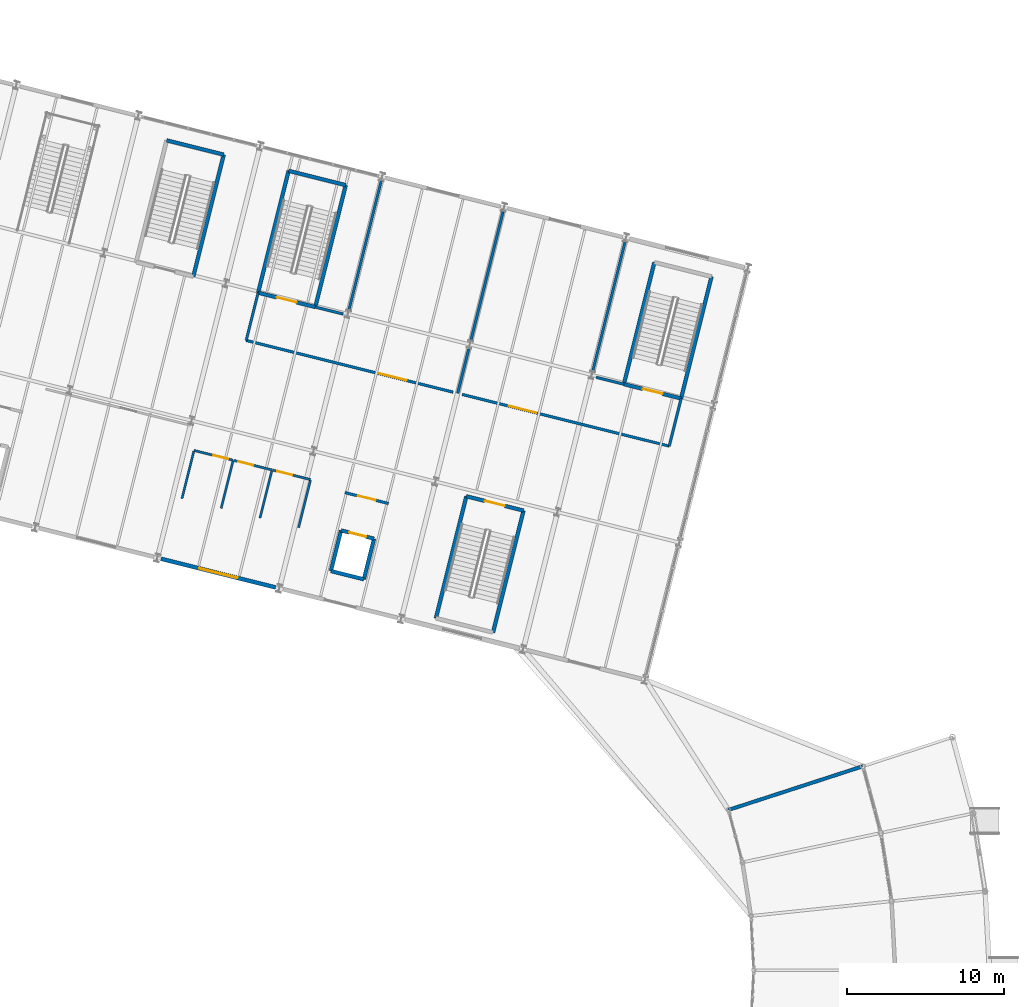
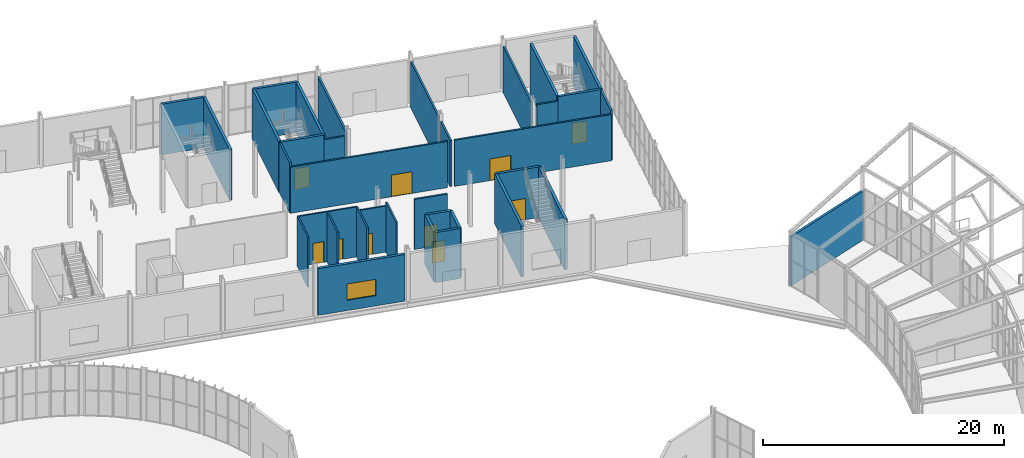
# One storey, part 129 of 158: 36 walls, 10 doors, 1 window, 11 openings.
"""IFC4 building model written with IfcOpenShell, lengths in metres."""

from ifc_helpers import new_model, si_unit, derived_unit, direction, frame, frame_2d, origin, place, context, subcontext, project, spatial, rectangle, extrude, material, layer, layer_set, type_object, element, fill, save


model = new_model("IFC4")

# Units and contexts
model_context = context("Model", 3, precision=1e-05, world=origin(), true_north=direction((0.0, 1.0)))
body_context = subcontext(model_context, "Body", "Model", "MODEL_VIEW")
ifc_project = project(units=[si_unit("LENGTHUNIT", "METRE"), si_unit("AREAUNIT", "SQUARE_METRE"), si_unit("VOLUMEUNIT", "CUBIC_METRE"), si_unit("PLANEANGLEUNIT", "RADIAN"), si_unit("MASSUNIT", "GRAM", prefix="KILO"), si_unit("THERMODYNAMICTEMPERATUREUNIT", "KELVIN"), si_unit("TIMEUNIT", "SECOND"), derived_unit("THERMALTRANSMITTANCEUNIT", [(si_unit("MASSUNIT", "GRAM", prefix="KILO"), 1), (si_unit("THERMODYNAMICTEMPERATUREUNIT", "KELVIN"), -1), (si_unit("TIMEUNIT", "SECOND"), -3)])], contexts=[model_context])

# Site, building, storey
site_placement = place(None, origin())
site = spatial("IfcSite", under=ifc_project, at=site_placement, CompositionType="ELEMENT")
building_placement = place(site_placement, origin())
building = spatial("IfcBuilding", under=site, at=building_placement, Name="Cambertide Market Hall", CompositionType="ELEMENT")
storey_placement = place(building_placement, origin())
storey = spatial("IfcBuildingStorey", under=building, at=storey_placement, Name="L01", CompositionType="ELEMENT", Elevation=0.0)

# Wall, opening, window
ifc_material_1 = material(Name="Autoclaved Aerated Concrete Blockwork M7.5", Category="masonry")
ifc_layer_1 = layer(ifc_material_1, 0.25, Name="Insulated AAC Exterior Infill Wall 250")
ifc_layer_set_1 = layer_set([ifc_layer_1], Name="Autoclaved Aerated Concrete Blockwork M7.5")
wall_type_1 = type_object("IfcWallType", Name="Insulated AAC Exterior Infill Wall 250", PredefinedType="SOLIDWALL", material=ifc_layer_set_1)
wall_1_placement = place(storey_placement, frame((146.57275390625, 90.356689453125, 0.0), z_axis=(0.0, 0.0, 1.0), x_axis=(-0.970138680536, 0.242550902961, 0.0)))
wall_1 = element("IfcWall", 1, at=wall_1_placement, inside=storey, type_object=wall_type_1, Name="Level 1 Exterior Wall EW-L01-V4S-5", PredefinedType="SOLIDWALL", context=body_context, shape_type="SweptSolid", body=[
    extrude(rectangle(XDim=7.52001953125, YDim=0.25, at=frame_2d((3.760009765625, 0.0))), origin(), (0.0, 0.0, 1.0), 4.735107421875),
])
opening_1_placement = place(wall_1_placement, frame((2.510009765625, 0.0, 1.050048828125)))
opening_1 = element("IfcOpeningElement", 2, at=opening_1_placement, cuts=wall_1, Name="Opening WN-09", PredefinedType="OPENING", context=body_context, shape_type="SweptSolid", body=[
    extrude(rectangle(XDim=2.5, YDim=1.64990234375, at=frame_2d((1.25, 0.824951171875))), frame((0.0, 0.135009765625, 0.0), z_axis=(0.0, -1.0, 0.0), x_axis=(1.0, 0.0, 0.0)), (0.0, 0.0, 1.0), 0.27001953125),
])
ifc_material_2 = material(Name="Low-E Laminated Insulated Glass", Category="glass")
window_type = type_object("IfcWindowType", Name="Market Admin Office Window 2500x1650", PartitioningType="SINGLE_PANEL", PredefinedType="WINDOW", material=ifc_material_2)
window_placement = place(opening_1_placement, origin())
window = element("IfcWindow", 3, at=window_placement, inside=storey, type_object=window_type, Name="Level 1 Window EW-L01-V4S-5-WN", OverallHeight=1.64990234375, OverallWidth=2.5, PartitioningType="SINGLE_PANEL", PredefinedType="WINDOW", context=body_context, shape_type="SweptSolid", body=[
    extrude(rectangle(XDim=2.5, YDim=1.64990234375, at=frame_2d((1.25, 0.824951171875))), frame((0.0, 0.030029296875, 0.0), z_axis=(0.0, -1.0, 0.0), x_axis=(1.0, 0.0, 0.0)), (0.0, 0.0, 1.0), 0.06005859375),
])
fill(opening_1, window)

# Wall, opening, door
ifc_material_3 = material(Name="Autoclaved Aerated Concrete Blockwork M7.5", Category="masonry")
ifc_layer_2 = layer(ifc_material_3, 0.169921875, Name="Lift Lobby Fire Partition 170")
ifc_layer_set_2 = layer_set([ifc_layer_2], Name="Autoclaved Aerated Concrete Blockwork M7.5")
wall_type_2 = type_object("IfcWallType", Name="Lift Lobby Fire Partition 170", PredefinedType="PARTITIONING", material=ifc_layer_set_2)
wall_2_placement = place(storey_placement, frame((150.979736328125, 96.398193359375, 0.0), z_axis=(0.0, 0.0, 1.0), x_axis=(0.970147521275, -0.242515539634, 0.0)))
wall_2 = element("IfcWall", 4, at=wall_2_placement, inside=storey, type_object=wall_type_2, Name="Level 1 Interior Wall LLW-LP-04-L01", PredefinedType="PARTITIONING", context=body_context, shape_type="SweptSolid", body=[
    extrude(rectangle(XDim=2.860107421875, YDim=0.169921875, at=frame_2d((1.43017578125, 0.0))), origin(), (0.0, 0.0, 1.0), 5.080078125),
])
opening_2_placement = place(wall_2_placement, frame((0.85498046875, 0.0, 0.0)))
opening_2 = element("IfcOpeningElement", 5, at=opening_2_placement, cuts=wall_2, Name="Opening KD-02", PredefinedType="OPENING", context=body_context, shape_type="SweptSolid", body=[
    extrude(rectangle(XDim=1.14990234375, YDim=2.14990234375, at=frame_2d((0.574951171875, 1.074951171875))), frame((0.0, 0.094970703125, 0.0), z_axis=(0.0, -1.0, 0.0), x_axis=(1.0, 0.0, 0.0)), (0.0, 0.0, 1.0), 0.18994140625),
])
ifc_material_4 = material(Name="Stainless Steel Grade 316", Category="metal")
door_type_1 = type_object("IfcDoorType", Name="Lift Lobby Smoke-Stop Door 1150x2150", OperationType="NOTDEFINED", PredefinedType="DOOR", material=ifc_material_4)
door_1_placement = place(opening_2_placement, origin())
door_1 = element("IfcDoor", 6, at=door_1_placement, inside=storey, type_object=door_type_1, Name="Level 1 Door LLW-LP-04-L01-DR1", OperationType="SINGLE_SWING_LEFT", OverallHeight=2.14990234375, OverallWidth=1.14990234375, PredefinedType="DOOR", context=body_context, shape_type="SweptSolid", body=[
    extrude(rectangle(XDim=1.14990234375, YDim=2.14990234375, at=frame_2d((0.574951171875, 1.074951171875))), frame((0.0, 0.02490234375, 0.0), z_axis=(0.0, -1.0, 0.0), x_axis=(1.0, 0.0, 0.0)), (0.0, 0.0, 1.0), 0.050048828125),
])
fill(opening_2, door_1)

# Walls
ifc_material_5 = material(Name="Autoclaved Aerated Concrete Blockwork M7.5", Category="masonry")
ifc_layer_3 = layer(ifc_material_5, 0.22509765625, Name="Promenade Pavilion Masonry Wall 225")
ifc_layer_set_3 = layer_set([ifc_layer_3], Name="Autoclaved Aerated Concrete Blockwork M7.5")
wall_type_3 = type_object("IfcWallType", Name="Promenade Pavilion Masonry Wall 225", PredefinedType="SOLIDWALL", material=ifc_layer_set_3)
wall_3_placement = place(storey_placement, frame((175.384765625, 76.197509765625, 0.0), z_axis=(0.0, 0.0, 1.0), x_axis=(0.951054001411, 0.309024734286, 0.0)))
element("IfcWall", 7, at=wall_3_placement, inside=storey, type_object=wall_type_3, Name="Level 1 Exterior Wall EW-L01-V5END-N", PredefinedType="SOLIDWALL", context=body_context, shape_type="SweptSolid", body=[
    extrude(rectangle(XDim=9.0, YDim=0.22509765625, at=frame_2d((4.5, 0.0))), origin(), (0.0, 0.0, 1.0), 4.97998046875),
])
ifc_material_6 = material(Name="Autoclaved Aerated Concrete Blockwork M7.5", Category="masonry")
ifc_layer_4 = layer(ifc_material_6, 0.1650390625, Name="Protected Exit Passageway Fire Wall 165")
ifc_layer_set_4 = layer_set([ifc_layer_4], Name="Autoclaved Aerated Concrete Blockwork M7.5")
wall_type_4 = type_object("IfcWallType", Name="Protected Exit Passageway Fire Wall 165", PredefinedType="PARTITIONING", material=ifc_layer_set_4)
wall_4_placement = place(storey_placement, frame((144.695556640625, 106.08154296875, 0.0), z_axis=(0.0, 0.0, 1.0), x_axis=(0.242572388699, 0.97013330849, 0.0)))
element("IfcWall", 8, at=wall_4_placement, inside=storey, type_object=wall_type_4, Name="Level 1 Interior Wall EXW-ST09-W", PredefinedType="PARTITIONING", context=body_context, shape_type="SweptSolid", body=[
    extrude(rectangle(XDim=3.125, YDim=0.1650390625, at=frame_2d((1.5625, 0.0))), origin(), (0.0, 0.0, 1.0), 5.080078125),
])

# Wall, opening, door
wall_5_placement = place(storey_placement, frame((144.695556640625, 106.08154296875, 0.0), z_axis=(0.0, 0.0, 1.0), x_axis=(0.97014144222, -0.242539856697, 0.0)))
wall_5 = element("IfcWall", 9, at=wall_5_placement, inside=storey, type_object=wall_type_4, Name="Level 1 Interior Wall EXW-ST09-S", PredefinedType="PARTITIONING", context=body_context, shape_type="SweptSolid", body=[
    extrude(rectangle(XDim=13.574951171875, YDim=0.1650390625, at=frame_2d((6.78759765625, 0.0))), origin(), (0.0, 0.0, 1.0), 4.68505859375),
])
opening_3_placement = place(wall_5_placement, frame((8.71337890625, 0.0, 0.0)))
opening_3 = element("IfcOpeningElement", 10, at=opening_3_placement, cuts=wall_5, Name="Opening FD-02", PredefinedType="OPENING", context=body_context, shape_type="SweptSolid", body=[
    extrude(rectangle(XDim=1.800048828125, YDim=2.199951171875, at=frame_2d((0.89990234375, 1.10009765625))), frame((0.0, 0.092529296875, 0.0), z_axis=(0.0, -1.0, 0.0), x_axis=(1.0, 0.0, 0.0)), (0.0, 0.0, 1.0), 0.18505859375),
])
ifc_material_7 = material(Name="Powder-Coated Galvanized Sheet Metal", Category="metal")
door_type_2 = type_object("IfcDoorType", Name="Compartment Double Fire Door 1800x2200", OperationType="DOUBLE_DOOR_SINGLE_SWING", PredefinedType="DOOR", material=ifc_material_7)
door_2_placement = place(opening_3_placement, origin())
door_2 = element("IfcDoor", 11, at=door_2_placement, inside=storey, type_object=door_type_2, Name="Level 1 Door EXW-ST09-S-DR1", OperationType="DOUBLE_DOOR_SINGLE_SWING", OverallHeight=2.199951171875, OverallWidth=1.800048828125, PredefinedType="DOOR", context=body_context, shape_type="SweptSolid", body=[
    extrude(rectangle(XDim=1.800048828125, YDim=2.199951171875, at=frame_2d((0.89990234375, 1.10009765625))), frame((0.0, 0.02490234375, 0.0), z_axis=(0.0, -1.0, 0.0), x_axis=(1.0, 0.0, 0.0)), (0.0, 0.0, 1.0), 0.050048828125),
])
fill(opening_3, door_2)

# Walls
wall_6_placement = place(storey_placement, frame((149.091552734375, 108.203857421875, 0.0), z_axis=(0.0, 0.0, 1.0), x_axis=(0.970142500145, -0.242535625036, 0.0)))
element("IfcWall", 12, at=wall_6_placement, inside=storey, type_object=wall_type_4, Name="Level 1 Interior Wall EXW-ST09-N1", PredefinedType="PARTITIONING", context=body_context, shape_type="SweptSolid", body=[
    extrude(rectangle(XDim=1.824951171875, YDim=0.1650390625, at=frame_2d((0.91259765625, 0.0))), origin(), (0.0, 0.0, 1.0), 4.635009765625),
])
wall_7_placement = place(storey_placement, frame((151.244140625, 108.05224609375, 0.0), z_axis=(0.0, 0.0, 1.0), x_axis=(0.242542463714, 0.97014079045, 0.0)))
element("IfcWall", 13, at=wall_7_placement, inside=storey, type_object=wall_type_4, Name="Level 1 Interior Wall EXW-ST09-VW", PredefinedType="PARTITIONING", context=body_context, shape_type="SweptSolid", body=[
    extrude(rectangle(XDim=8.39990234375, YDim=0.1650390625, at=frame_2d((4.199951171875, 0.0))), origin(), (0.0, 0.0, 1.0), 4.68505859375),
])
wall_8_placement = place(storey_placement, frame((158.15625, 102.71630859375, 0.0), z_axis=(0.0, 0.0, 1.0), x_axis=(0.242535625036, 0.970142500145, 0.0)))
element("IfcWall", 14, at=wall_8_placement, inside=storey, type_object=wall_type_4, Name="Level 1 Interior Wall EXW-ST09-DIV1", PredefinedType="PARTITIONING", context=body_context, shape_type="SweptSolid", body=[
    extrude(rectangle(XDim=2.900146484375, YDim=0.1650390625, at=frame_2d((1.4501953125, 0.0))), origin(), (0.0, 0.0, 1.0), 4.68505859375),
])
wall_9_placement = place(storey_placement, frame((159.005126953125, 106.11181640625, 0.0), z_axis=(0.0, 0.0, 1.0), x_axis=(0.242542463714, 0.97014079045, 0.0)))
element("IfcWall", 15, at=wall_9_placement, inside=storey, type_object=wall_type_4, Name="Level 1 Interior Wall EXW-ST09-DIV2", PredefinedType="PARTITIONING", context=body_context, shape_type="SweptSolid", body=[
    extrude(rectangle(XDim=8.39990234375, YDim=0.1650390625, at=frame_2d((4.199951171875, 0.0))), origin(), (0.0, 0.0, 1.0), 4.68505859375),
])

# Wall, opening, door
wall_10_placement = place(storey_placement, frame((158.447509765625, 102.6435546875, 0.0), z_axis=(0.0, 0.0, 1.0), x_axis=(0.970145673823, -0.242522929972, 0.0)))
wall_10 = element("IfcWall", 16, at=wall_10_placement, inside=storey, type_object=wall_type_4, Name="Level 1 Interior Wall EXW-ST08B-S", PredefinedType="PARTITIONING", context=body_context, shape_type="SweptSolid", body=[
    extrude(rectangle(XDim=13.574951171875, YDim=0.1650390625, at=frame_2d((6.78759765625, 0.0))), origin(), (0.0, 0.0, 1.0), 4.68505859375),
])
opening_4_placement = place(wall_10_placement, frame((3.0615234375, 0.0, 0.0)))
opening_4 = element("IfcOpeningElement", 17, at=opening_4_placement, cuts=wall_10, Name="Opening FD-02", PredefinedType="OPENING", context=body_context, shape_type="SweptSolid", body=[
    extrude(rectangle(XDim=1.800048828125, YDim=2.199951171875, at=frame_2d((0.89990234375, 1.10009765625))), frame((0.0, 0.092529296875, 0.0), z_axis=(0.0, -1.0, 0.0), x_axis=(1.0, 0.0, 0.0)), (0.0, 0.0, 1.0), 0.18505859375),
])
door_3_placement = place(opening_4_placement, origin())
door_3 = element("IfcDoor", 18, at=door_3_placement, inside=storey, type_object=door_type_2, Name="Level 1 Door EXW-ST08B-S-DR1", OperationType="DOUBLE_DOOR_SINGLE_SWING", OverallHeight=2.199951171875, OverallWidth=1.800048828125, PredefinedType="DOOR", context=body_context, shape_type="SweptSolid", body=[
    extrude(rectangle(XDim=1.800048828125, YDim=2.199951171875, at=frame_2d((0.89990234375, 1.10009765625))), frame((0.0, 0.02490234375, 0.0), z_axis=(0.0, -1.0, 0.0), x_axis=(1.0, 0.0, 0.0)), (0.0, 0.0, 1.0), 0.050048828125),
])
fill(opening_4, door_3)

# Walls
wall_11_placement = place(storey_placement, frame((171.6171875, 99.351318359375, 0.0), z_axis=(0.0, 0.0, 1.0), x_axis=(0.242517241333, 0.970147095886, 0.0)))
element("IfcWall", 19, at=wall_11_placement, inside=storey, type_object=wall_type_4, Name="Level 1 Interior Wall EXW-ST08B-E", PredefinedType="PARTITIONING", context=body_context, shape_type="SweptSolid", body=[
    extrude(rectangle(XDim=3.124755859375, YDim=0.1650390625, at=frame_2d((1.5625, 0.0))), origin(), (0.0, 0.0, 1.0), 5.080078125),
])
wall_12_placement = place(storey_placement, frame((166.966552734375, 103.735107421875, 0.0), z_axis=(0.0, 0.0, 1.0), x_axis=(0.970142500145, -0.242535625036, 0.0)))
element("IfcWall", 20, at=wall_12_placement, inside=storey, type_object=wall_type_4, Name="Level 1 Interior Wall EXW-ST08B-N1", PredefinedType="PARTITIONING", context=body_context, shape_type="SweptSolid", body=[
    extrude(rectangle(XDim=1.824951171875, YDim=0.1650390625, at=frame_2d((0.91259765625, 0.0))), origin(), (0.0, 0.0, 1.0), 4.635009765625),
])
wall_13_placement = place(storey_placement, frame((166.766357421875, 104.171630859375, 0.0), z_axis=(0.0, 0.0, 1.0), x_axis=(0.242542463714, 0.97014079045, 0.0)))
element("IfcWall", 21, at=wall_13_placement, inside=storey, type_object=wall_type_4, Name="Level 1 Interior Wall EXW-ST08B-VE", PredefinedType="PARTITIONING", context=body_context, shape_type="SweptSolid", body=[
    extrude(rectangle(XDim=8.39990234375, YDim=0.1650390625, at=frame_2d((4.199951171875, 0.0))), origin(), (0.0, 0.0, 1.0), 4.68505859375),
])

# Wall, opening, door
ifc_material_8 = material(Name="Autoclaved Aerated Concrete Blockwork M7.5", Category="masonry")
ifc_layer_5 = layer(ifc_material_8, 0.139892578125, Name="Sanitary & Wet-Area Masonry Partition 140")
ifc_layer_set_5 = layer_set([ifc_layer_5], Name="Autoclaved Aerated Concrete Blockwork M7.5")
wall_type_5 = type_object("IfcWallType", Name="Sanitary & Wet-Area Masonry Partition 140", PredefinedType="PARTITIONING", material=ifc_layer_set_5)
wall_14_placement = place(storey_placement, frame((141.372802734375, 99.078369140625, 0.0), z_axis=(0.0, 0.0, 1.0), x_axis=(0.970148131734, -0.242513097571, 0.0)))
wall_14 = element("IfcWall", 22, at=wall_14_placement, inside=storey, type_object=wall_type_5, Name="Level 1 Interior Wall WCW-L01-L01C-F1", PredefinedType="PARTITIONING", context=body_context, shape_type="SweptSolid", body=[
    extrude(rectangle(XDim=2.550048828125, YDim=0.139892578125, at=frame_2d((1.27490234375, 0.0))), origin(), (0.0, 0.0, 1.0), 5.080078125),
])
opening_5_placement = place(wall_14_placement, frame((1.280029296875, 0.0, 0.0)))
opening_5 = element("IfcOpeningElement", 23, at=opening_5_placement, cuts=wall_14, Name="Opening ID-04", PredefinedType="OPENING", context=body_context, shape_type="SweptSolid", body=[
    extrude(rectangle(XDim=0.949951171875, YDim=2.10009765625, at=frame_2d((0.47509765625, 1.050048828125))), frame((0.0, 0.079833984375, 0.0), z_axis=(0.0, -1.0, 0.0), x_axis=(1.0, 0.0, 0.0)), (0.0, 0.0, 1.0), 0.159912109375),
])
ifc_material_9 = material(Name="Champagne Marine Anodized Aluminium 6063-T6 AA25", Category="aluminium")
door_type_3 = type_object("IfcDoorType", Name="WC & Office Single Door 950x2100", OperationType="NOTDEFINED", PredefinedType="DOOR", material=ifc_material_9)
door_4_placement = place(opening_5_placement, origin())
door_4 = element("IfcDoor", 24, at=door_4_placement, inside=storey, type_object=door_type_3, Name="Level 1 Door WCW-L01-L01C-F1-DR1", OperationType="SINGLE_SWING_RIGHT", OverallHeight=2.10009765625, OverallWidth=0.949951171875, PredefinedType="DOOR", context=body_context, shape_type="SweptSolid", body=[
    extrude(rectangle(XDim=0.949951171875, YDim=2.10009765625, at=frame_2d((0.47509765625, 1.050048828125))), frame((0.0, 0.02490234375, 0.0), z_axis=(0.0, -1.0, 0.0), x_axis=(1.0, 0.0, 0.0)), (0.0, 0.0, 1.0), 0.050048828125),
])
fill(opening_5, door_4)

wall_15_placement = place(storey_placement, frame((143.895263671875, 98.44775390625, 0.0), z_axis=(0.0, 0.0, 1.0), x_axis=(0.970153988463, -0.242489667139, 0.0)))
wall_15 = element("IfcWall", 25, at=wall_15_placement, inside=storey, type_object=wall_type_5, Name="Level 1 Interior Wall WCW-L01-L01C-F2", PredefinedType="PARTITIONING", context=body_context, shape_type="SweptSolid", body=[
    extrude(rectangle(XDim=2.5, YDim=0.139892578125, at=frame_2d((1.25, 0.0))), origin(), (0.0, 0.0, 1.0), 5.080078125),
])
opening_6_placement = place(wall_15_placement, frame((0.320068359375, 0.0, 0.0)))
opening_6 = element("IfcOpeningElement", 26, at=opening_6_placement, cuts=wall_15, Name="Opening ID-04", PredefinedType="OPENING", context=body_context, shape_type="SweptSolid", body=[
    extrude(rectangle(XDim=0.949951171875, YDim=2.10009765625, at=frame_2d((0.47509765625, 1.050048828125))), frame((0.0, 0.079833984375, 0.0), z_axis=(0.0, -1.0, 0.0), x_axis=(1.0, 0.0, 0.0)), (0.0, 0.0, 1.0), 0.159912109375),
])
door_5_placement = place(opening_6_placement, origin())
door_5 = element("IfcDoor", 27, at=door_5_placement, inside=storey, type_object=door_type_3, Name="Level 1 Door WCW-L01-L01C-F2-DR1", OperationType="SINGLE_SWING_LEFT", OverallHeight=2.10009765625, OverallWidth=0.949951171875, PredefinedType="DOOR", context=body_context, shape_type="SweptSolid", body=[
    extrude(rectangle(XDim=0.949951171875, YDim=2.10009765625, at=frame_2d((0.47509765625, 1.050048828125))), frame((0.0, 0.02490234375, 0.0), z_axis=(0.0, -1.0, 0.0), x_axis=(1.0, 0.0, 0.0)), (0.0, 0.0, 1.0), 0.050048828125),
])
fill(opening_6, door_5)

wall_16_placement = place(storey_placement, frame((146.369140625, 97.829345703125, 0.0), z_axis=(0.0, 0.0, 1.0), x_axis=(0.970131009923, -0.242581581301, 0.0)))
wall_16 = element("IfcWall", 28, at=wall_16_placement, inside=storey, type_object=wall_type_5, Name="Level 1 Interior Wall WCW-L01-L01C-F3", PredefinedType="PARTITIONING", context=body_context, shape_type="SweptSolid", body=[
    extrude(rectangle(XDim=2.5, YDim=0.139892578125, at=frame_2d((1.25, 0.0))), origin(), (0.0, 0.0, 1.0), 4.68505859375),
])
opening_7_placement = place(wall_16_placement, frame((0.320068359375, 0.0, 0.0)))
opening_7 = element("IfcOpeningElement", 29, at=opening_7_placement, cuts=wall_16, Name="Opening ID-05", PredefinedType="OPENING", context=body_context, shape_type="SweptSolid", body=[
    extrude(rectangle(XDim=0.97998046875, YDim=2.14990234375, at=frame_2d((0.489990234375, 1.074951171875))), frame((0.0, 0.079833984375, 0.0), z_axis=(0.0, -1.0, 0.0), x_axis=(1.0, 0.0, 0.0)), (0.0, 0.0, 1.0), 0.159912109375),
])
ifc_material_10 = material(Name="Champagne Marine Anodized Aluminium 6063-T6 AA25", Category="aluminium")
door_type_4 = type_object("IfcDoorType", Name="Accessible WC Outward Door 980x2150", OperationType="NOTDEFINED", PredefinedType="DOOR", material=ifc_material_10)
door_6_placement = place(opening_7_placement, origin())
door_6 = element("IfcDoor", 30, at=door_6_placement, inside=storey, type_object=door_type_4, Name="Level 1 Door WCW-L01-L01C-F3-DR1", OperationType="SINGLE_SWING_RIGHT", OverallHeight=2.14990234375, OverallWidth=0.97998046875, PredefinedType="DOOR", context=body_context, shape_type="SweptSolid", body=[
    extrude(rectangle(XDim=0.97998046875, YDim=2.14990234375, at=frame_2d((0.489990234375, 1.074951171875))), frame((0.0, 0.02490234375, 0.0), z_axis=(0.0, -1.0, 0.0), x_axis=(1.0, 0.0, 0.0)), (0.0, 0.0, 1.0), 0.050048828125),
])
fill(opening_7, door_6)

# Walls
wall_17_placement = place(storey_placement, frame((143.102294921875, 95.399169921875, 0.0), z_axis=(0.0, 0.0, 1.0), x_axis=(0.242498561862, 0.970151765187, 0.0)))
element("IfcWall", 31, at=wall_17_placement, inside=storey, type_object=wall_type_5, Name="Level 1 Interior Wall WCW-L01-L01C-D1", PredefinedType="PARTITIONING", context=body_context, shape_type="SweptSolid", body=[
    extrude(rectangle(XDim=3.099853515625, YDim=0.139892578125, at=frame_2d((1.5498046875, 0.0))), origin(), (0.0, 0.0, 1.0), 5.080078125),
])
wall_18_placement = place(storey_placement, frame((145.575927734375, 94.780517578125, 0.0), z_axis=(0.0, 0.0, 1.0), x_axis=(0.242554154721, 0.970137867536, 0.0)))
element("IfcWall", 32, at=wall_18_placement, inside=storey, type_object=wall_type_5, Name="Level 1 Interior Wall WCW-L01-L01C-D2", PredefinedType="PARTITIONING", context=body_context, shape_type="SweptSolid", body=[
    extrude(rectangle(XDim=3.10009765625, YDim=0.139892578125, at=frame_2d((1.550048828125, 0.0))), origin(), (0.0, 0.0, 1.0), 5.080078125),
])
wall_19_placement = place(storey_placement, frame((140.60888671875, 96.0224609375, 0.0), z_axis=(0.0, 0.0, 1.0), x_axis=(0.242572687149, 0.970133233865, 0.0)))
element("IfcWall", 33, at=wall_19_placement, inside=storey, type_object=wall_type_5, Name="Level 1 Interior Wall WCW-L01-L01C-L", PredefinedType="PARTITIONING", context=body_context, shape_type="SweptSolid", body=[
    extrude(rectangle(XDim=3.099853515625, YDim=0.139892578125, at=frame_2d((1.5498046875, 0.0))), origin(), (0.0, 0.0, 1.0), 5.080078125),
])
wall_20_placement = place(storey_placement, frame((148.030517578125, 94.1669921875, 0.0), z_axis=(0.0, 0.0, 1.0), x_axis=(0.242554154721, 0.970137867536, 0.0)))
element("IfcWall", 34, at=wall_20_placement, inside=storey, type_object=wall_type_5, Name="Level 1 Interior Wall WCW-L01-L01C-R", PredefinedType="PARTITIONING", context=body_context, shape_type="SweptSolid", body=[
    extrude(rectangle(XDim=3.10009765625, YDim=0.139892578125, at=frame_2d((1.550048828125, 0.0))), origin(), (0.0, 0.0, 1.0), 5.080078125),
])
ifc_material_11 = material(Name="Concrete B35", Category="concrete")
ifc_layer_6 = layer(ifc_material_11, 0.239990234375, Name="Stair & Lift Core Shaft Wall 240")
ifc_layer_set_6 = layer_set([ifc_layer_6], Name="Concrete B35")
wall_type_6 = type_object("IfcWallType", Name="Stair & Lift Core Shaft Wall 240", PredefinedType="SOLIDWALL", material=ifc_layer_set_6)
wall_21_placement = place(storey_placement, frame((143.270751953125, 117.9052734375, 0.0), z_axis=(0.0, 0.0, 1.0), x_axis=(-0.242521263911, -0.970146090314, 0.0)))
element("IfcWall", 35, at=wall_21_placement, inside=storey, type_object=wall_type_6, Name="Level 1 Interior Wall SHW-ST-07B-L01-L", PredefinedType="SOLIDWALL", context=body_context, shape_type="SweptSolid", body=[
    extrude(rectangle(XDim=8.0, YDim=0.239990234375, at=frame_2d((4.0, 0.0))), origin(), (0.0, 0.0, 1.0), 5.135009765625),
])
wall_22_placement = place(storey_placement, frame((139.6328125, 118.814697265625, 0.0), z_axis=(0.0, 0.0, 1.0), x_axis=(0.970146329796, -0.242520305918, 0.0)))
element("IfcWall", 36, at=wall_22_placement, inside=storey, type_object=wall_type_6, Name="Level 1 Interior Wall SHW-ST-07B-L01-FAR", PredefinedType="SOLIDWALL", context=body_context, shape_type="SweptSolid", body=[
    extrude(rectangle(XDim=3.75, YDim=0.239990234375, at=frame_2d((1.875, 0.0))), origin(), (0.0, 0.0, 1.0), 5.135009765625),
])

# Wall, opening, door
wall_23_placement = place(storey_placement, frame((158.7080078125, 96.161865234375, 0.0), z_axis=(0.0, 0.0, 1.0), x_axis=(0.970150158722, -0.242504988675, 0.0)))
wall_23 = element("IfcWall", 37, at=wall_23_placement, inside=storey, type_object=wall_type_6, Name="Level 1 Interior Wall SHW-ST-08A-L01-NEAR", PredefinedType="SOLIDWALL", context=body_context, shape_type="SweptSolid", body=[
    extrude(rectangle(XDim=3.750244140625, YDim=0.239990234375, at=frame_2d((1.875, 0.0))), origin(), (0.0, 0.0, 1.0), 5.135009765625),
])
opening_8_placement = place(wall_23_placement, frame((1.22509765625, 0.0, 0.0)))
opening_8 = element("IfcOpeningElement", 38, at=opening_8_placement, cuts=wall_23, Name="Opening FD-01", PredefinedType="OPENING", context=body_context, shape_type="SweptSolid", body=[
    extrude(rectangle(XDim=1.300048828125, YDim=2.14990234375, at=frame_2d((0.64990234375, 1.074951171875))), frame((0.0, 0.1298828125, 0.0), z_axis=(0.0, -1.0, 0.0), x_axis=(1.0, 0.0, 0.0)), (0.0, 0.0, 1.0), 0.260009765625),
])
ifc_material_12 = material(Name="Powder-Coated Galvanized Sheet Metal", Category="metal")
door_type_5 = type_object("IfcDoorType", Name="Stair Core Fire Door 1300x2150", OperationType="NOTDEFINED", PredefinedType="DOOR", material=ifc_material_12)
door_7_placement = place(opening_8_placement, origin())
door_7 = element("IfcDoor", 39, at=door_7_placement, inside=storey, type_object=door_type_5, Name="Level 1 Door SHW-ST-08A-L01-NEAR-DR1", OperationType="SINGLE_SWING_RIGHT", OverallHeight=2.14990234375, OverallWidth=1.300048828125, PredefinedType="DOOR", context=body_context, shape_type="SweptSolid", body=[
    extrude(rectangle(XDim=1.300048828125, YDim=2.14990234375, at=frame_2d((0.64990234375, 1.074951171875))), frame((0.0, 0.02490234375, 0.0), z_axis=(0.0, -1.0, 0.0), x_axis=(1.0, 0.0, 0.0)), (0.0, 0.0, 1.0), 0.050048828125),
])
fill(opening_8, door_7)

# Walls
for number, where, z_axis, x_axis, name in (
    (40, (156.767822265625, 88.400634765625, 0.0), (0.0, 0.0, 1.0), (0.242521263911, 0.970146090314, 0.0), "Level 1 Interior Wall SHW-ST-08A-L01-L"),
    (41, (162.34619140625, 95.25244140625, 0.0), (0.0, 0.0, 1.0), (-0.242521263911, -0.970146090314, 0.0), "Level 1 Interior Wall SHW-ST-08A-L01-R"),
):
    element("IfcWall", number, at=place(storey_placement, frame(where, z_axis=z_axis, x_axis=x_axis)), inside=storey, type_object=wall_type_6, Name=name, PredefinedType="SOLIDWALL", context=body_context, shape_type="SweptSolid", body=[
        extrude(rectangle(XDim=8.0, YDim=0.239990234375, at=frame_2d((4.0, 0.0))), origin(), (0.0, 0.0, 1.0), 5.135009765625),
    ])

# Wall, opening, door
wall_24_placement = place(storey_placement, frame((172.375, 102.3828125, 0.0), z_axis=(0.0, 0.0, 1.0), x_axis=(-0.970131009923, 0.242581581301, 0.0)))
wall_24 = element("IfcWall", 42, at=wall_24_placement, inside=storey, type_object=wall_type_6, Name="Level 1 Interior Wall SHW-ST-08B-L01-NEAR", PredefinedType="SOLIDWALL", context=body_context, shape_type="SweptSolid", body=[
    extrude(rectangle(XDim=3.75, YDim=0.239990234375, at=frame_2d((1.875, 0.0))), origin(), (0.0, 0.0, 1.0), 5.135009765625),
])
opening_9_placement = place(wall_24_placement, frame((1.22509765625, 0.0, 0.0)))
opening_9 = element("IfcOpeningElement", 43, at=opening_9_placement, cuts=wall_24, Name="Opening FD-01", PredefinedType="OPENING", context=body_context, shape_type="SweptSolid", body=[
    extrude(rectangle(XDim=1.300048828125, YDim=2.14990234375, at=frame_2d((0.64990234375, 1.074951171875))), frame((0.0, 0.1298828125, 0.0), z_axis=(0.0, -1.0, 0.0), x_axis=(1.0, 0.0, 0.0)), (0.0, 0.0, 1.0), 0.260009765625),
])
door_8_placement = place(opening_9_placement, origin())
door_8 = element("IfcDoor", 44, at=door_8_placement, inside=storey, type_object=door_type_5, Name="Level 1 Door SHW-ST-08B-L01-NEAR-DR1", OperationType="SINGLE_SWING_LEFT", OverallHeight=2.14990234375, OverallWidth=1.300048828125, PredefinedType="DOOR", context=body_context, shape_type="SweptSolid", body=[
    extrude(rectangle(XDim=1.300048828125, YDim=2.14990234375, at=frame_2d((0.64990234375, 1.074951171875))), frame((0.0, 0.02490234375, 0.0), z_axis=(0.0, -1.0, 0.0), x_axis=(1.0, 0.0, 0.0)), (0.0, 0.0, 1.0), 0.050048828125),
])
fill(opening_9, door_8)

# Walls
for number, where, z_axis, x_axis, name in (
    (45, (174.315185546875, 110.14404296875, 0.0), (0.0, 0.0, 1.0), (-0.242521263911, -0.970146090314, 0.0), "Level 1 Interior Wall SHW-ST-08B-L01-L"),
    (46, (168.737060546875, 103.29248046875, 0.0), (0.0, 0.0, 1.0), (0.242521263911, 0.970146090314, 0.0), "Level 1 Interior Wall SHW-ST-08B-L01-R"),
):
    element("IfcWall", number, at=place(storey_placement, frame(where, z_axis=z_axis, x_axis=x_axis)), inside=storey, type_object=wall_type_6, Name=name, PredefinedType="SOLIDWALL", context=body_context, shape_type="SweptSolid", body=[
        extrude(rectangle(XDim=8.0, YDim=0.239990234375, at=frame_2d((4.0, 0.0))), origin(), (0.0, 0.0, 1.0), 5.135009765625),
    ])

# Wall, opening, door
wall_25_placement = place(storey_placement, frame((149.091552734375, 108.203857421875, 0.0), z_axis=(0.0, 0.0, 1.0), x_axis=(-0.970146329796, 0.242520305918, 0.0)))
wall_25 = element("IfcWall", 47, at=wall_25_placement, inside=storey, type_object=wall_type_6, Name="Level 1 Interior Wall SHW-ST-09-L01-NEAR", PredefinedType="SOLIDWALL", context=body_context, shape_type="SweptSolid", body=[
    extrude(rectangle(XDim=3.75, YDim=0.239990234375, at=frame_2d((1.875, 0.0))), origin(), (0.0, 0.0, 1.0), 5.135009765625),
])
opening_10_placement = place(wall_25_placement, frame((1.22509765625, 0.0, 0.0)))
opening_10 = element("IfcOpeningElement", 48, at=opening_10_placement, cuts=wall_25, Name="Opening FD-01", PredefinedType="OPENING", context=body_context, shape_type="SweptSolid", body=[
    extrude(rectangle(XDim=1.300048828125, YDim=2.14990234375, at=frame_2d((0.64990234375, 1.074951171875))), frame((0.0, 0.1298828125, 0.0), z_axis=(0.0, -1.0, 0.0), x_axis=(1.0, 0.0, 0.0)), (0.0, 0.0, 1.0), 0.260009765625),
])
door_9_placement = place(opening_10_placement, origin())
door_9 = element("IfcDoor", 49, at=door_9_placement, inside=storey, type_object=door_type_5, Name="Level 1 Door SHW-ST-09-L01-NEAR-DR1", OperationType="SINGLE_SWING_LEFT", OverallHeight=2.14990234375, OverallWidth=1.300048828125, PredefinedType="DOOR", context=body_context, shape_type="SweptSolid", body=[
    extrude(rectangle(XDim=1.300048828125, YDim=2.14990234375, at=frame_2d((0.64990234375, 1.074951171875))), frame((0.0, 0.02490234375, 0.0), z_axis=(0.0, -1.0, 0.0), x_axis=(1.0, 0.0, 0.0)), (0.0, 0.0, 1.0), 0.050048828125),
])
fill(opening_10, door_9)

# Walls
wall_26_placement = place(storey_placement, frame((151.031982421875, 115.96484375, 0.0), z_axis=(0.0, 0.0, 1.0), x_axis=(-0.242557167103, -0.970137114374, 0.0)))
element("IfcWall", 50, at=wall_26_placement, inside=storey, type_object=wall_type_6, Name="Level 1 Interior Wall SHW-ST-09-L01-L", PredefinedType="SOLIDWALL", context=body_context, shape_type="SweptSolid", body=[
    extrude(rectangle(XDim=8.0, YDim=0.239990234375, at=frame_2d((4.0, 0.0))), origin(), (0.0, 0.0, 1.0), 5.135009765625),
])
wall_27_placement = place(storey_placement, frame((147.393798828125, 116.87451171875, 0.0), z_axis=(0.0, 0.0, 1.0), x_axis=(0.970134840723, -0.242566260672, 0.0)))
element("IfcWall", 51, at=wall_27_placement, inside=storey, type_object=wall_type_6, Name="Level 1 Interior Wall SHW-ST-09-L01-FAR", PredefinedType="SOLIDWALL", context=body_context, shape_type="SweptSolid", body=[
    extrude(rectangle(XDim=3.750244140625, YDim=0.239990234375, at=frame_2d((1.875, 0.0))), origin(), (0.0, 0.0, 1.0), 5.135009765625),
])
wall_28_placement = place(storey_placement, frame((145.45361328125, 109.11328125, 0.0), z_axis=(0.0, 0.0, 1.0), x_axis=(0.242521263911, 0.970146090314, 0.0)))
element("IfcWall", 52, at=wall_28_placement, inside=storey, type_object=wall_type_6, Name="Level 1 Interior Wall SHW-ST-09-L01-R", PredefinedType="SOLIDWALL", context=body_context, shape_type="SweptSolid", body=[
    extrude(rectangle(XDim=8.0, YDim=0.239990234375, at=frame_2d((4.0, 0.0))), origin(), (0.0, 0.0, 1.0), 5.135009765625),
])
wall_29_placement = place(storey_placement, frame((152.1875, 90.880615234375, 0.0), z_axis=(0.0, 0.0, 1.0), x_axis=(-0.970135850962, 0.242562220222, 0.0)))
element("IfcWall", 53, at=wall_29_placement, inside=storey, type_object=wall_type_6, Name="Level 1 Interior Wall LSH-LP-04-L01-S", PredefinedType="SOLIDWALL", context=body_context, shape_type="SweptSolid", body=[
    extrude(rectangle(XDim=2.159912109375, YDim=0.239990234375, at=frame_2d((1.080078125, 0.0))), origin(), (0.0, 0.0, 1.0), 5.080078125),
])

# Wall, opening, door
wall_30_placement = place(storey_placement, frame((150.7373046875, 93.985107421875, 0.0), z_axis=(0.0, 0.0, 1.0), x_axis=(0.970135850962, -0.242562220222, 0.0)))
wall_30 = element("IfcWall", 54, at=wall_30_placement, inside=storey, type_object=wall_type_6, Name="Level 1 Interior Wall LSH-LP-04-L01-N", PredefinedType="SOLIDWALL", context=body_context, shape_type="SweptSolid", body=[
    extrude(rectangle(XDim=2.159912109375, YDim=0.239990234375, at=frame_2d((1.080078125, 0.0))), origin(), (0.0, 0.0, 1.0), 5.080078125),
])
opening_11_placement = place(wall_30_placement, frame((0.530029296875, 0.0, 0.0)))
opening_11 = element("IfcOpeningElement", 55, at=opening_11_placement, cuts=wall_30, Name="Opening LD-01", PredefinedType="OPENING", context=body_context, shape_type="SweptSolid", body=[
    extrude(rectangle(XDim=1.10009765625, YDim=2.14990234375, at=frame_2d((0.550048828125, 1.074951171875))), frame((0.0, 0.1298828125, 0.0), z_axis=(0.0, -1.0, 0.0), x_axis=(1.0, 0.0, 0.0)), (0.0, 0.0, 1.0), 0.260009765625),
])
ifc_material_13 = material(Name="Stainless Steel Grade 316", Category="metal")
door_type_6 = type_object("IfcDoorType", Name="Passenger Lift Sliding Landing Door 1100x2150", OperationType="DOUBLE_DOOR_SLIDING", PredefinedType="DOOR", material=ifc_material_13)
door_10_placement = place(opening_11_placement, origin())
door_10 = element("IfcDoor", 56, at=door_10_placement, inside=storey, type_object=door_type_6, Name="Level 1 Door LSH-LP-04-L01-N-DR1", OperationType="DOUBLE_DOOR_SLIDING", OverallHeight=2.14990234375, OverallWidth=1.10009765625, PredefinedType="DOOR", context=body_context, shape_type="SweptSolid", body=[
    extrude(rectangle(XDim=1.10009765625, YDim=2.14990234375, at=frame_2d((0.550048828125, 1.074951171875))), frame((0.0, 0.02490234375, 0.0), z_axis=(0.0, -1.0, 0.0), x_axis=(1.0, 0.0, 0.0)), (0.0, 0.0, 1.0), 0.050048828125),
])
fill(opening_11, door_10)

# Walls
for number, where, z_axis, x_axis, name in (
    (57, (150.092041015625, 91.404541015625, 0.0), (0.0, 0.0, 1.0), (0.242578816146, 0.970131701346, 0.0), "Level 1 Interior Wall LSH-LP-04-L01-W"),
    (58, (152.832763671875, 93.461181640625, 0.0), (0.0, 0.0, 1.0), (-0.242578816146, -0.970131701346, 0.0), "Level 1 Interior Wall LSH-LP-04-L01-E"),
):
    element("IfcWall", number, at=place(storey_placement, frame(where, z_axis=z_axis, x_axis=x_axis)), inside=storey, type_object=wall_type_6, Name=name, PredefinedType="SOLIDWALL", context=body_context, shape_type="SweptSolid", body=[
        extrude(rectangle(XDim=2.659912109375, YDim=0.239990234375, at=frame_2d((1.330078125, 0.0))), origin(), (0.0, 0.0, 1.0), 5.080078125),
    ])

save(model, "model.ifc")
